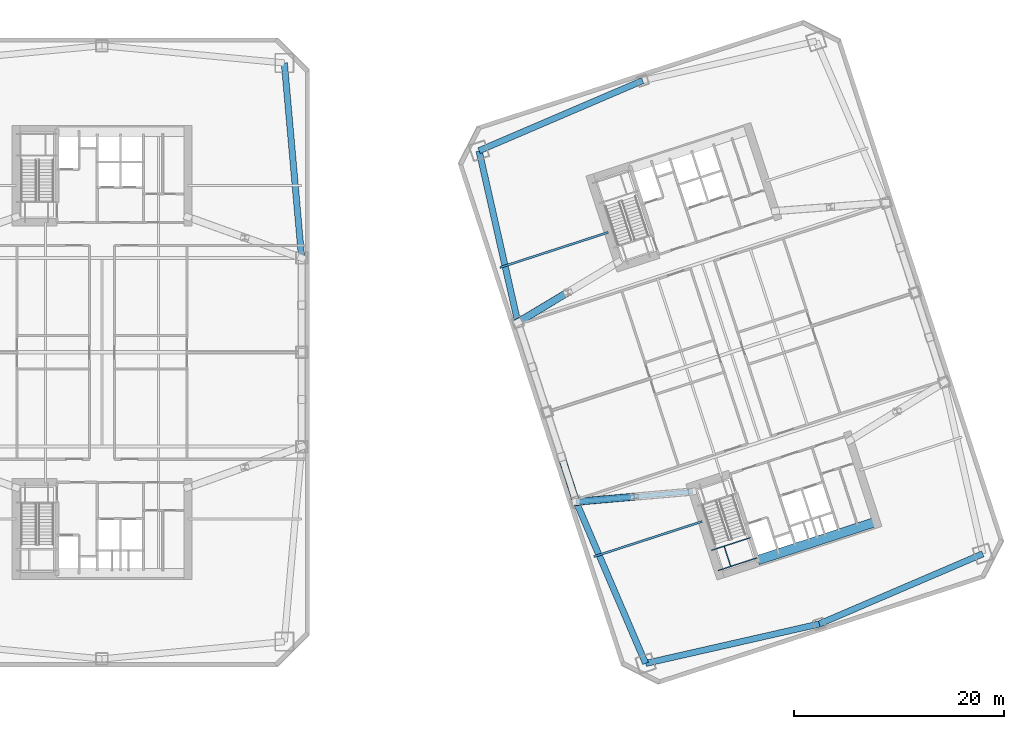
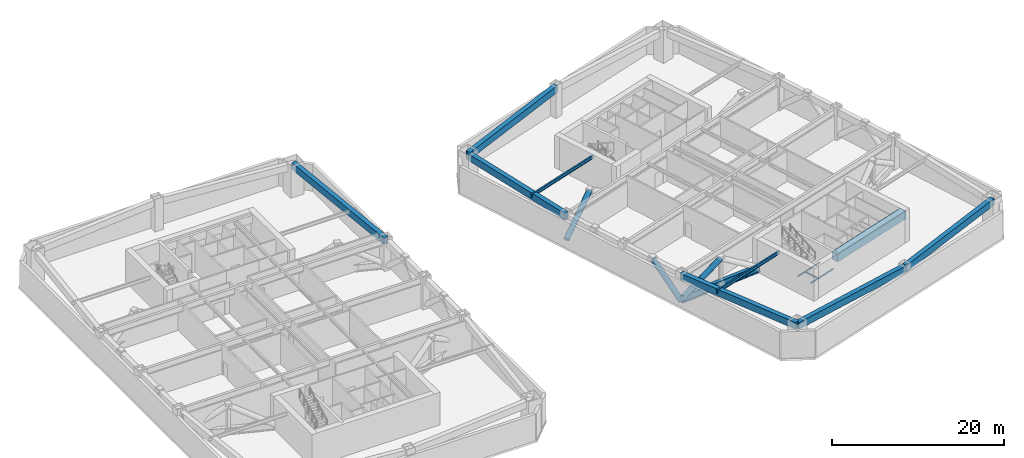
# One storey, part 5 of 16: 13 beams, 3 members.
"""IFC4 building model written with IfcOpenShell, lengths in metres."""

from ifc_helpers import new_model, si_unit, direction, frame, origin, origin_2d, place, context, subcontext, project, spatial, rectangle, hollow_circle, i_section, extrude, material, material_profile, profile_set, type_object, element, save


model = new_model("IFC4")

# Units and contexts
model_context = context("Model", 3, precision=1e-05, world=origin(), true_north=direction((0.0, 1.0)))
body_context = subcontext(model_context, "Body", "Model", "MODEL_VIEW")
ifc_project = project(units=[si_unit("LENGTHUNIT", "METRE"), si_unit("AREAUNIT", "SQUARE_METRE"), si_unit("VOLUMEUNIT", "CUBIC_METRE"), si_unit("PLANEANGLEUNIT", "RADIAN"), si_unit("MASSUNIT", "GRAM", prefix="KILO")], contexts=[model_context])

# Site, building, storey
site_placement = place(None, origin())
site = spatial("IfcSite", under=ifc_project, at=site_placement, CompositionType="ELEMENT")
building_placement = place(site_placement, origin())
building = spatial("IfcBuilding", under=site, at=building_placement, Name="Qiaolan Cultural Towers", CompositionType="ELEMENT")
storey_placement = place(building_placement, frame((0.0, 0.0, 46.0)))
storey = spatial("IfcBuildingStorey", under=building, at=storey_placement, Name="L10", CompositionType="ELEMENT", Elevation=46.0)

# Beams
ifc_material_1 = material(Name="Steel Q390GJB", Category="steel")
ifc_material_profile_1 = material_profile(ifc_material_1, i_section(OverallWidth=0.449951171875, OverallDepth=1.0, WebThickness=0.02392578125, FlangeThickness=0.0400390625, at=origin_2d()), Name="BH1000x450x24x40")
ifc_profile_set_1 = profile_set([ifc_material_profile_1], Name="Steel Q390GJB")
beam_type_1 = type_object("IfcBeamType", Name="BM-BH1000x450x24x40", PredefinedType="BEAM", material=ifc_profile_set_1)
beam_1_placement = place(storey_placement, frame((86.32568359375, 20.71435546875, 0.5), z_axis=(-0.996155948718, -0.087597521849, 0.0), x_axis=(0.087597521849, -0.996155948718, 0.0)))
element("IfcBeam", 1, at=beam_1_placement, inside=storey, type_object=beam_type_1, Name="L10 T2 Outrigger Bottom Chord Girder WS", PredefinedType="BEAM", context=body_context, shape_type="SweptSolid", body=[
    extrude(i_section(OverallWidth=0.449951171875, OverallDepth=1.0, WebThickness=0.02392578125, FlangeThickness=0.0400390625, at=origin_2d()), origin(), (0.0, 0.0, 1.0), 11.13427734375),
])
ifc_material_2 = material(Name="Steel Q355B", Category="steel")
ifc_material_profile_2 = material_profile(ifc_material_2, i_section(OverallWidth=0.199951171875, OverallDepth=0.449951171875, WebThickness=0.009033203125, FlangeThickness=0.013916015625, at=origin_2d()), Name="HN450x200x9x14")
ifc_profile_set_2 = profile_set([ifc_material_profile_2], Name="Steel Q355B")
beam_type_2 = type_object("IfcBeamType", Name="BM-LNT-HN450x200x9x14", PredefinedType="LINTEL", material=ifc_profile_set_2)
beam_2_placement = place(storey_placement, frame((87.252685546875, 17.861083984375, 4.114990234375), z_axis=(-0.95105688584, -0.30901585703, 0.0), x_axis=(0.30901585703, -0.95105688584, 0.0)))
element("IfcBeam", 2, at=beam_2_placement, inside=storey, type_object=beam_type_2, Name="L10 T2 Core Flank Tie Lintel WS", PredefinedType="LINTEL", context=body_context, shape_type="SweptSolid", body=[
    extrude(i_section(OverallWidth=0.199951171875, OverallDepth=0.449951171875, WebThickness=0.009033203125, FlangeThickness=0.013916015625, at=origin_2d()), origin(), (0.0, 0.0, 1.0), 10.849853515625),
])
beam_3_placement = place(storey_placement, frame((78.291259765625, 45.44189453125, 4.114990234375), z_axis=(-0.951052421511, -0.309029596542, 0.0), x_axis=(0.309029596542, -0.951052421511, 0.0)))
element("IfcBeam", 3, at=beam_3_placement, inside=storey, type_object=beam_type_2, Name="L10 T2 Core Flank Tie Lintel WN", PredefinedType="LINTEL", context=body_context, shape_type="SweptSolid", body=[
    extrude(i_section(OverallWidth=0.199951171875, OverallDepth=0.449951171875, WebThickness=0.009033203125, FlangeThickness=0.013916015625, at=origin_2d()), origin(), (0.0, 0.0, 1.0), 10.85009765625),
])
ifc_material_3 = material(Name="Concrete C50", Category="concrete")
ifc_material_profile_3 = material_profile(ifc_material_3, rectangle(XDim=0.89990234375, YDim=1.10009765625, at=origin_2d()), Name="RC900x1100")
ifc_profile_set_3 = profile_set([ifc_material_profile_3], Name="Concrete C50")
beam_type_3 = type_object("IfcBeamType", Name="BM-RC900x1100", PredefinedType="BEAM", material=ifc_profile_set_3)
beam_4_placement = place(storey_placement, frame((92.572265625, 14.174560546875, 3.7900390625), z_axis=(0.951056266386, 0.309017763514, 0.0), x_axis=(-0.309017763514, 0.951056266386, 0.0)))
element("IfcBeam", 4, at=beam_4_placement, inside=storey, type_object=beam_type_3, Name="L10 T2 Core Header Girder S", PredefinedType="BEAM", context=body_context, shape_type="SweptSolid", body=[
    extrude(rectangle(XDim=0.89990234375, YDim=1.10009765625, at=origin_2d()), origin(), (0.0, 0.0, 1.0), 11.880126953125),
])
ifc_material_4 = material(Name="Concrete C50", Category="concrete")
ifc_material_profile_4 = material_profile(ifc_material_4, rectangle(XDim=0.60009765625, YDim=0.949951171875, at=origin_2d()), Name="RC600x950")
ifc_profile_set_4 = profile_set([ifc_material_profile_4], Name="Concrete C50")
beam_type_4 = type_object("IfcBeamType", Name="BM-SPD-RC600x950", PredefinedType="SPANDREL", material=ifc_profile_set_4)
beam_5_placement = place(storey_placement, frame((49.050048828125, 43.0, 3.864990234375), z_axis=(-0.08837000091, 0.996087718496, 0.0), x_axis=(-0.996087718496, -0.08837000091, 0.0)))
element("IfcBeam", 5, at=beam_5_placement, inside=storey, type_object=beam_type_4, Name="L10 T1 Perimeter Spandrel Beam 6", PredefinedType="SPANDREL", context=body_context, shape_type="SweptSolid", body=[
    extrude(rectangle(XDim=0.60009765625, YDim=0.949951171875, at=origin_2d()), origin(), (0.0, 0.0, 1.0), 18.673095703125),
])
for number, where, z_axis, x_axis, name in (
    (6, (81.862548828125, 4.32275390625, 3.864990234375), (0.975161095889, 0.221496810506, 0.0), (-0.221496810506, 0.975161095889, 0.0), "L10 T2 Perimeter Spandrel Beam 1"),
    (7, (98.420654296875, 8.083740234375, 3.864990234375), (0.919108584923, 0.394004326272, 0.0), (-0.394004326272, 0.919108584923, 0.0), "L10 T2 Perimeter Spandrel Beam 2"),
    (8, (81.579345703125, 59.916259765625, 3.864990234375), (-0.919108584923, -0.394004326272, 0.0), (0.394004326272, -0.919108584923, 0.0), "L10 T2 Perimeter Spandrel Beam 8"),
):
    element("IfcBeam", number, at=place(storey_placement, frame(where, z_axis=z_axis, x_axis=x_axis)), inside=storey, type_object=beam_type_4, Name=name, PredefinedType="SPANDREL", context=body_context, shape_type="SweptSolid", body=[
        extrude(rectangle(XDim=0.60009765625, YDim=0.949951171875, at=origin_2d()), origin(), (0.0, 0.0, 1.0), 16.97998046875),
    ])
for number, where, z_axis, x_axis, name in (
    (9, (65.972900390625, 53.22607421875, 3.864990234375), (0.220430557386, -0.975402670373, 0.0), (0.975402670373, 0.220430557386, 0.0), "L10 T2 Perimeter Spandrel Beam 9"),
    (10, (75.234130859375, 19.739013671875, 3.864990234375), (0.394998896054, -0.918681594524, 0.0), (0.918681594524, 0.394998896054, 0.0), "L10 T2 Perimeter Spandrel Beam 12"),
):
    element("IfcBeam", number, at=place(storey_placement, frame(where, z_axis=z_axis, x_axis=x_axis)), inside=storey, type_object=beam_type_4, Name=name, PredefinedType="SPANDREL", context=body_context, shape_type="SweptSolid", body=[
        extrude(rectangle(XDim=0.60009765625, YDim=0.949951171875, at=origin_2d()), origin(), (0.0, 0.0, 1.0), 16.78076171875),
    ])
ifc_material_5 = material(Name="Steel Q355B", Category="steel")
ifc_material_profile_5 = material_profile(ifc_material_5, i_section(OverallWidth=0.10009765625, OverallDepth=0.199951171875, WebThickness=0.005615234375, FlangeThickness=0.008056640625, at=origin_2d()), Name="HN200x100x5.5x8")
ifc_profile_set_5 = profile_set([ifc_material_profile_5], Name="Steel Q355B")
beam_type_5 = type_object("IfcBeamType", Name="BM-STTRIM-200", PredefinedType="BEAM", material=ifc_profile_set_5)
beam_6_placement = place(storey_placement, frame((88.145263671875, 15.11376953125, 2.0), z_axis=(0.951053746643, 0.309025518358, 0.0), x_axis=(-0.309025518358, 0.951053746643, 0.0)))
element("IfcBeam", 11, at=beam_6_placement, inside=storey, type_object=beam_type_5, Name="L10 ST-E1 Stair Landing Support Beam 1-1", PredefinedType="BEAM", context=body_context, shape_type="SweptSolid", body=[
    extrude(i_section(OverallWidth=0.10009765625, OverallDepth=0.199951171875, WebThickness=0.005615234375, FlangeThickness=0.008056640625, at=origin_2d()), origin(), (0.0, 0.0, 1.0), 3.920166015625),
])
beam_7_placement = place(storey_placement, frame((88.773193359375, 13.181884765625, 2.0), z_axis=(0.951047798727, 0.309043823005, 0.0), x_axis=(-0.309043823005, 0.951047798727, 0.0)))
element("IfcBeam", 12, at=beam_7_placement, inside=storey, type_object=beam_type_5, Name="L10 ST-E1 Stair Landing Support Beam 1-2", PredefinedType="BEAM", context=body_context, shape_type="SweptSolid", body=[
    extrude(i_section(OverallWidth=0.10009765625, OverallDepth=0.199951171875, WebThickness=0.005615234375, FlangeThickness=0.008056640625, at=origin_2d()), origin(), (0.0, 0.0, 1.0), 3.919921875),
])
beam_8_placement = place(storey_placement, frame((89.353271484375, 15.50634765625, 2.0), z_axis=(0.309007258476, -0.951059679626, 0.0), x_axis=(0.951059679626, 0.309007258476, 0.0)))
element("IfcBeam", 13, at=beam_8_placement, inside=storey, type_object=beam_type_5, Name="L10 ST-E1 Stair Landing Trimmer 1", PredefinedType="BEAM", context=body_context, shape_type="SweptSolid", body=[
    extrude(i_section(OverallWidth=0.10009765625, OverallDepth=0.199951171875, WebThickness=0.005615234375, FlangeThickness=0.008056640625, at=origin_2d()), origin(), (0.0, 0.0, 1.0), 2.03125),
])

# Members
ifc_material_6 = material(Name="Steel Q355B", Category="steel")
ifc_material_profile_6 = material_profile(ifc_material_6, hollow_circle(Radius=0.35009765625, WallThickness=0.034912109375, at=origin_2d()), Name="CHS700x35")
ifc_profile_set_6 = profile_set([ifc_material_profile_6], Name="Steel Q355B")
member_type = type_object("IfcMemberType", Name="MBR-BRC-CHS700x35", PredefinedType="BRACE", material=ifc_profile_set_6)
member_1_placement = place(storey_placement, frame((80.780029296875, 20.226806640625, 4.080078125), z_axis=(-0.837868597088, -0.073695256955, -0.54087449849), x_axis=(0.087617366549, -0.996154203464, 0.0)))
element("IfcMember", 14, at=member_1_placement, inside=storey, type_object=member_type, Name="L10 T2 Outrigger Truss Diagonal WS-2", PredefinedType="BRACE", context=body_context, shape_type="SweptSolid", body=[
    extrude(hollow_circle(Radius=0.35009765625, WallThickness=0.034912109375, at=origin_2d()), origin(), (0.0, 0.0, 1.0), 6.619140625),
])
member_2_placement = place(storey_placement, frame((74.445068359375, 39.723388671875, 4.080078125), z_axis=(-0.721145479793, -0.432886468766, -0.540886773857), x_axis=(0.514669870769, -0.857388432464, 0.0)))
element("IfcMember", 15, at=member_2_placement, inside=storey, type_object=member_type, Name="L10 T2 Outrigger Truss Diagonal WN-2", PredefinedType="BRACE", context=body_context, shape_type="SweptSolid", body=[
    extrude(hollow_circle(Radius=0.35009765625, WallThickness=0.034912109375, at=origin_2d()), origin(), (0.0, 0.0, 1.0), 6.618896484375),
])
member_3_placement = place(storey_placement, frame((75.234130859375, 19.739013671875, 0.199951171875), z_axis=(-0.231479598497, 0.712401222199, 0.662496561568), x_axis=(-0.951054001411, -0.309024734286, 0.0)))
element("IfcMember", 16, at=member_3_placement, inside=storey, type_object=member_type, Name="L10 T2 Perimeter Belt Truss W1-A", PredefinedType="BRACE", context=body_context, shape_type="SweptSolid", body=[
    extrude(hollow_circle(Radius=0.35009765625, WallThickness=0.034912109375, at=origin_2d()), origin(), (0.0, 0.0, 1.0), 6.007568359375),
])

save(model, "model.ifc")
